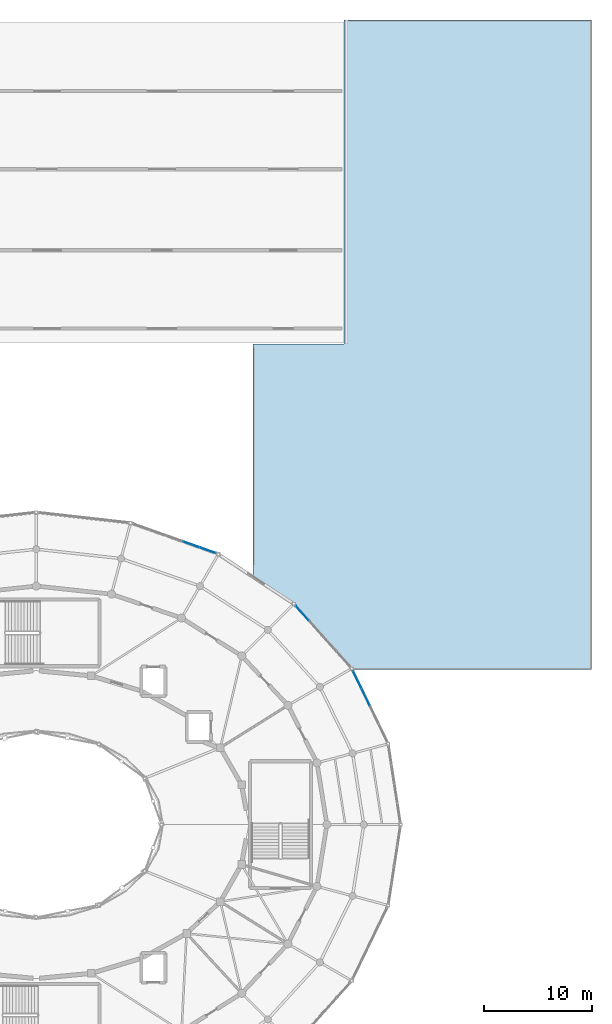
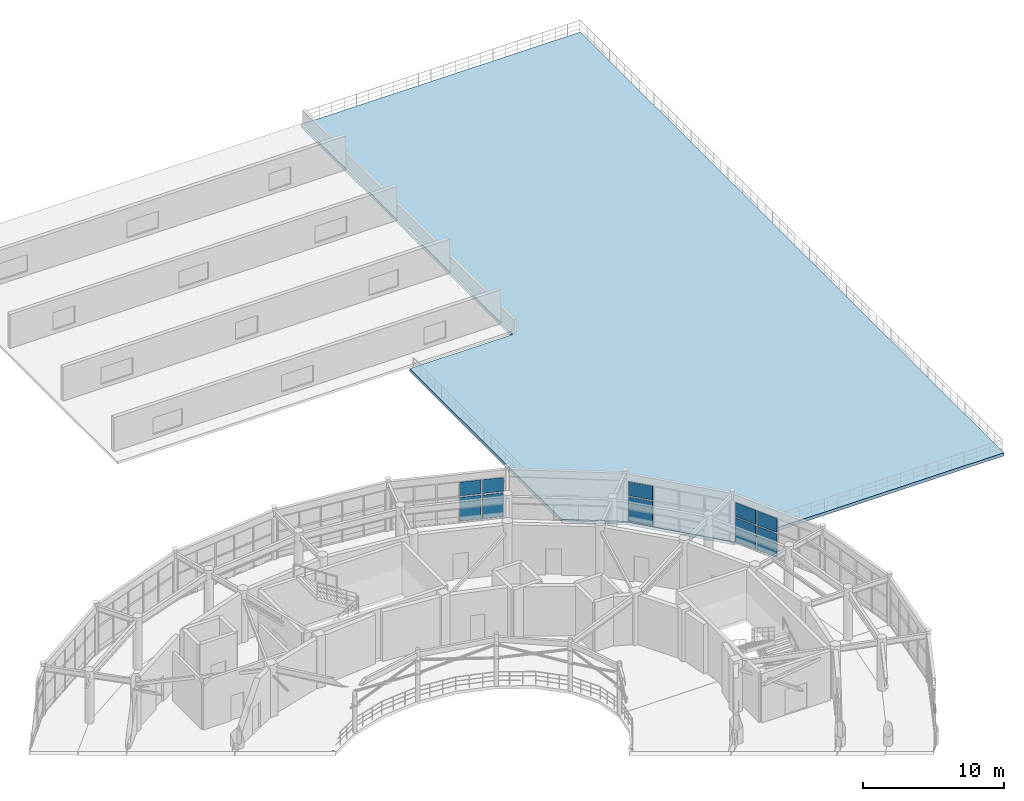
# One storey, part 36 of 60: 10 plates, 1 slab, 3 elements without a shape of their own.
"""IFC4 building model written with IfcOpenShell, lengths in metres."""

from ifc_helpers import new_model, si_unit, direction, frame, origin, origin_2d, place, context, subcontext, project, spatial, polyline, rectangle, outline, extrude, material, layer, layer_set, type_object, element, aggregate, save


model = new_model("IFC4")

# Units and contexts
model_context = context("Model", 3, precision=1e-05, world=origin(), true_north=direction((0.0, 1.0)))
body_context = subcontext(model_context, "Body", "Model", "MODEL_VIEW")
ifc_project = project(units=[si_unit("LENGTHUNIT", "METRE"), si_unit("AREAUNIT", "SQUARE_METRE"), si_unit("VOLUMEUNIT", "CUBIC_METRE"), si_unit("PLANEANGLEUNIT", "RADIAN"), si_unit("MASSUNIT", "GRAM", prefix="KILO")], contexts=[model_context])

# Site, building, storey
site_placement = place(None, origin())
site = spatial("IfcSite", under=ifc_project, at=site_placement, CompositionType="ELEMENT")
building_placement = place(site_placement, origin())
building = spatial("IfcBuilding", under=site, at=building_placement, Name="Cinderbank Siding Concert Hall", CompositionType="ELEMENT")
storey_placement = place(building_placement, frame((0.0, 0.0, 14.699951171875)))
storey = spatial("IfcBuildingStorey", under=building, at=storey_placement, Name="L04", CompositionType="ELEMENT", Elevation=14.699951171875)

# Curtain wall, plates
ifc_material_1 = material(Name="Anodised aluminium alloy 6063-T6", Category="aluminium")
curtain_wall_type_1 = type_object("IfcCurtainWallType", Name="CW-02 Unitised Acoustic Curtain Wall 7800x4400", PredefinedType="NOTDEFINED", material=ifc_material_1)
curtain_wall_1_placement = place(storey_placement, origin())
curtain_wall_1 = element("IfcCurtainWall", 1, at=curtain_wall_1_placement, inside=storey, type_object=curtain_wall_type_1, Name="L04 Curtain Wall CW-02 #50", PredefinedType="NOTDEFINED")
ifc_material_2 = material(Name="Double-glazed laminated acoustic glass", Category="glass")
ifc_layer_1 = layer(ifc_material_2, 0.035888671875)
ifc_layer_set_1 = layer_set([ifc_layer_1], Name="Double-glazed laminated acoustic glass")
plate_type_1 = type_object("IfcPlateType", Name="CP-03 Glazed Curtain Panel 1600x2100", PredefinedType="CURTAIN_PANEL", material=ifc_layer_set_1)
plate_1_placement = place(storey_placement, frame((152.3818359375, 55.744140625, 0.1201171875), z_axis=(0.0, 0.0, 1.0), x_axis=(-0.435102109714, 0.900381116041, 0.0)))
plate_1 = element("IfcPlate", 2, at=plate_1_placement, type_object=plate_type_1, Name="CW-L04-050 Glazed Panel 2-0", PredefinedType="CURTAIN_PANEL", context=body_context, shape_type="SweptSolid", body=[
    extrude(rectangle(XDim=1.715087890625, YDim=0.035888671875, at=origin_2d()), origin(), (0.0, 0.0, 1.0), 2.0625),
])
plate_2_placement = place(storey_placement, frame((152.3818359375, 55.744140625, 2.302734375), z_axis=(0.0, 0.0, 1.0), x_axis=(-0.435102109714, 0.900381116041, 0.0)))
plate_2 = element("IfcPlate", 3, at=plate_2_placement, type_object=plate_type_1, Name="CW-L04-050 Glazed Panel 2-1", PredefinedType="CURTAIN_PANEL", context=body_context, shape_type="SweptSolid", body=[
    extrude(rectangle(XDim=1.715087890625, YDim=0.035888671875, at=origin_2d()), origin(), (0.0, 0.0, 1.0), 1.194580078125),
])
plate_3_placement = place(storey_placement, frame((151.592041015625, 57.37841796875, 0.1201171875), z_axis=(0.0, 0.0, 1.0), x_axis=(-0.435102109714, 0.900381116041, 0.0)))
plate_3 = element("IfcPlate", 4, at=plate_3_placement, type_object=plate_type_1, Name="CW-L04-050 Glazed Panel 3-0", PredefinedType="CURTAIN_PANEL", context=body_context, shape_type="SweptSolid", body=[
    extrude(rectangle(XDim=1.715087890625, YDim=0.035888671875, at=origin_2d()), origin(), (0.0, 0.0, 1.0), 2.0625),
])
plate_4_placement = place(storey_placement, frame((151.592041015625, 57.37841796875, 2.302734375), z_axis=(0.0, 0.0, 1.0), x_axis=(-0.435102109714, 0.900381116041, 0.0)))
plate_4 = element("IfcPlate", 5, at=plate_4_placement, type_object=plate_type_1, Name="CW-L04-050 Glazed Panel 3-1", PredefinedType="CURTAIN_PANEL", context=body_context, shape_type="SweptSolid", body=[
    extrude(rectangle(XDim=1.715087890625, YDim=0.035888671875, at=origin_2d()), origin(), (0.0, 0.0, 1.0), 1.194580078125),
])
aggregate(curtain_wall_1, [plate_1, plate_2, plate_3, plate_4])

curtain_wall_type_2 = type_object("IfcCurtainWallType", Name="CW-03 Unitised Acoustic Curtain Wall 7400x4400", PredefinedType="NOTDEFINED", material=ifc_material_1)
curtain_wall_2_placement = place(storey_placement, origin())
curtain_wall_2 = element("IfcCurtainWall", 6, at=curtain_wall_2_placement, inside=storey, type_object=curtain_wall_type_2, Name="L04 Curtain Wall CW-03 #51", PredefinedType="NOTDEFINED")
ifc_layer_2 = layer(ifc_material_2, 0.031982421875)
ifc_layer_set_2 = layer_set([ifc_layer_2], Name="Double-glazed laminated acoustic glass")
plate_type_2 = type_object("IfcPlateType", Name="CP-04 Glazed Curtain Panel 1400x2000", PredefinedType="CURTAIN_PANEL", material=ifc_layer_set_2)
plate_5_placement = place(storey_placement, frame((146.539794921875, 63.4921875, 0.1201171875), z_axis=(0.0, 0.0, 1.0), x_axis=(-0.666993465338, 0.745063565877, 0.0)))
plate_5 = element("IfcPlate", 7, at=plate_5_placement, type_object=plate_type_2, Name="CW-L04-051 Glazed Panel 3-0", PredefinedType="CURTAIN_PANEL", context=body_context, shape_type="SweptSolid", body=[
    extrude(rectangle(XDim=1.787841796875, YDim=0.035888671875, at=origin_2d()), origin(), (0.0, 0.0, 1.0), 2.0625),
])
plate_6_placement = place(storey_placement, frame((146.539794921875, 63.4921875, 2.302734375), z_axis=(0.0, 0.0, 1.0), x_axis=(-0.666993465338, 0.745063565877, 0.0)))
plate_6 = element("IfcPlate", 8, at=plate_6_placement, type_object=plate_type_2, Name="CW-L04-051 Glazed Panel 3-1", PredefinedType="CURTAIN_PANEL", context=body_context, shape_type="SweptSolid", body=[
    extrude(rectangle(XDim=1.787841796875, YDim=0.035888671875, at=origin_2d()), origin(), (0.0, 0.0, 1.0), 1.194580078125),
])
aggregate(curtain_wall_2, [plate_5, plate_6])

curtain_wall_type_3 = type_object("IfcCurtainWallType", Name="CW-05 Unitised Acoustic Curtain Wall 8200x3800", PredefinedType="NOTDEFINED", material=ifc_material_1)
curtain_wall_3_placement = place(storey_placement, origin())
curtain_wall_3 = element("IfcCurtainWall", 9, at=curtain_wall_3_placement, inside=storey, type_object=curtain_wall_type_3, Name="L04 Curtain Wall CW-05 #52", PredefinedType="NOTDEFINED")
ifc_layer_3 = layer(ifc_material_2, 0.031982421875)
ifc_layer_set_3 = layer_set([ifc_layer_3], Name="Double-glazed laminated acoustic glass")
plate_type_3 = type_object("IfcPlateType", Name="CP-05 Glazed Curtain Panel 1200x1800", PredefinedType="CURTAIN_PANEL", material=ifc_layer_set_3)
plate_7_placement = place(storey_placement, frame((137.818603515625, 69.2900390625, 0.1201171875), z_axis=(0.0, 0.0, 1.0), x_axis=(-0.942365662238, 0.334584755532, 0.0)))
plate_7 = element("IfcPlate", 10, at=plate_7_placement, type_object=plate_type_3, Name="CW-L04-052 Glazed Panel 0-0", PredefinedType="CURTAIN_PANEL", context=body_context, shape_type="SweptSolid", body=[
    extrude(rectangle(XDim=1.529052734375, YDim=0.035888671875, at=origin_2d()), origin(), (0.0, 0.0, 1.0), 2.0625),
])
plate_8_placement = place(storey_placement, frame((137.818603515625, 69.2900390625, 2.302734375), z_axis=(0.0, 0.0, 1.0), x_axis=(-0.942365662238, 0.334584755532, 0.0)))
plate_8 = element("IfcPlate", 11, at=plate_8_placement, type_object=plate_type_3, Name="CW-L04-052 Glazed Panel 0-1", PredefinedType="CURTAIN_PANEL", context=body_context, shape_type="SweptSolid", body=[
    extrude(rectangle(XDim=1.529052734375, YDim=0.035888671875, at=origin_2d()), origin(), (0.0, 0.0, 1.0), 1.194580078125),
])
plate_9_placement = place(storey_placement, frame((136.283203125, 69.8349609375, 0.1201171875), z_axis=(0.0, 0.0, 1.0), x_axis=(-0.942365662238, 0.334584755532, 0.0)))
plate_9 = element("IfcPlate", 12, at=plate_9_placement, type_object=plate_type_3, Name="CW-L04-052 Glazed Panel 1-0", PredefinedType="CURTAIN_PANEL", context=body_context, shape_type="SweptSolid", body=[
    extrude(rectangle(XDim=1.529052734375, YDim=0.035888671875, at=origin_2d()), origin(), (0.0, 0.0, 1.0), 2.0625),
])
plate_10_placement = place(storey_placement, frame((136.283203125, 69.8349609375, 2.302734375), z_axis=(0.0, 0.0, 1.0), x_axis=(-0.942365662238, 0.334584755532, 0.0)))
plate_10 = element("IfcPlate", 13, at=plate_10_placement, type_object=plate_type_3, Name="CW-L04-052 Glazed Panel 1-1", PredefinedType="CURTAIN_PANEL", context=body_context, shape_type="SweptSolid", body=[
    extrude(rectangle(XDim=1.529052734375, YDim=0.035888671875, at=origin_2d()), origin(), (0.0, 0.0, 1.0), 1.194580078125),
])
aggregate(curtain_wall_3, [plate_7, plate_8, plate_9, plate_10])

# Slab
ifc_material_3 = material(Name="Reinforced concrete AS 3600 N50 (50 MPa)", Category="concrete")
ifc_layer_4 = layer(ifc_material_3, 0.27001953125)
ifc_layer_set_4 = layer_set([ifc_layer_4], Name="Reinforced concrete AS 3600 N50 (50 MPa)")
slab_type = type_object("IfcSlabType", Name="SL-TR1 Slab 270mm", PredefinedType="FLOOR", material=ifc_layer_set_4)
slab_placement = place(storey_placement, frame((0.0, 0.0, -0.27001953125)))
element("IfcSlab", 14, at=slab_placement, inside=storey, type_object=slab_type, Name="L04 Pavilion Walkable Terrace", PredefinedType="FLOOR", context=body_context, shape_type="SweptSolid", body=[
    extrude(outline(polyline([(151.146728515625, 58.300048828125), (151.098388671875, 58.39990234375), (145.7587890625, 64.36474609375), (142.0, 66.8369140625), (142.0, 88.300048828125), (150.39990234375, 88.300048828125), (150.39990234375, 118.199951171875), (173.199951171875, 118.199951171875), (173.199951171875, 58.300048828125), (151.146728515625, 58.300048828125)])), origin(), (0.0, 0.0, 1.0), 0.27001953125),
])

save(model, "model.ifc")
